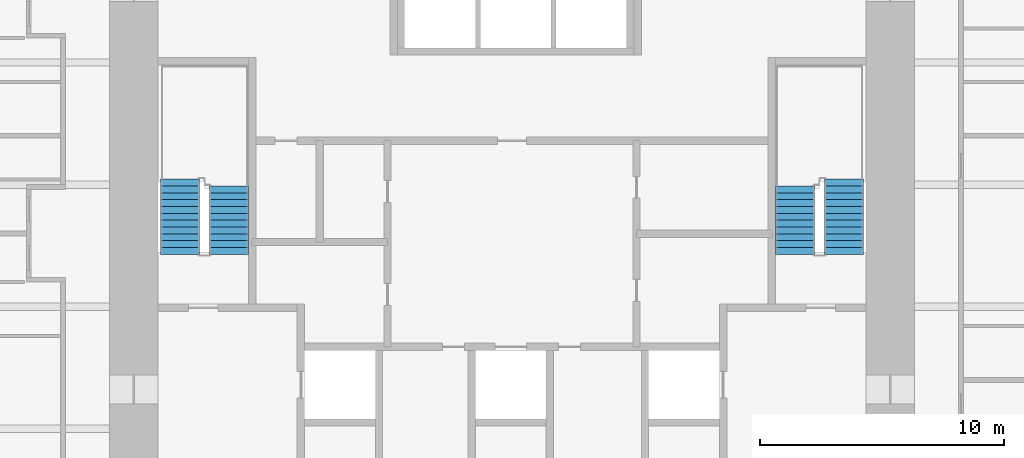
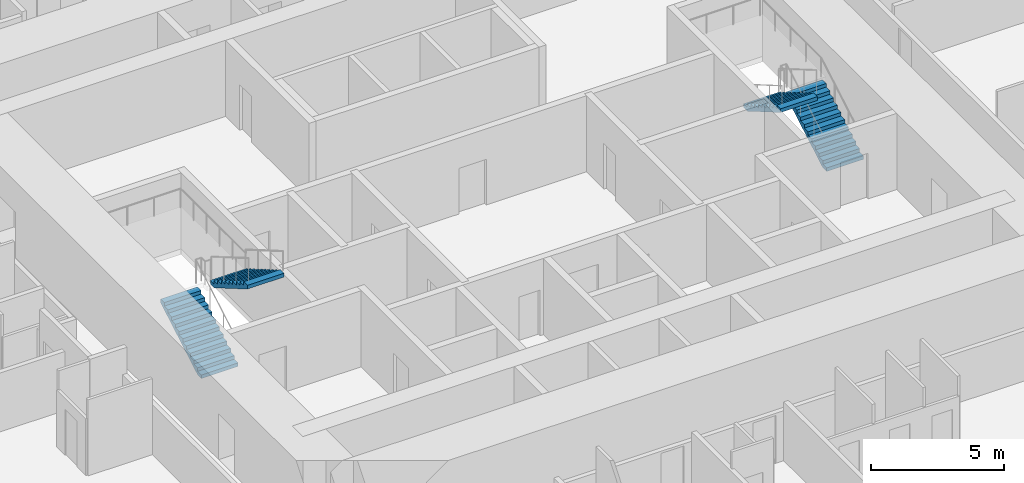
# One storey, part 16 of 17: 4 stair flights, 2 elements without a shape of their own.
"""IFC4 building model written with IfcOpenShell, lengths in metres."""

import ifcopenshell
import ifcopenshell.guid

model = None  # the IFC model being written
_history = None  # IfcOwnerHistory: only IFC2X3 demands one
_inside = {}  # id of a spatial element -> (the spatial element, [elements in it])
_under = {}  # id of a project, library or spatial element -> (it, [spatial elements below it])
_declared = {}  # id of a project -> (the project, [libraries it declares])
_typed = {}  # id of a type object -> (the type object, [elements of that type])
_made_of = {}  # id of a material, layer set ... -> (it, [elements and type objects made of it])


def new_model(schema):
    """Start an empty IFC model of exactly this schema.

    Asked for "IFC4X3", IfcOpenShell would pick the latest addendum, in which some entities
    have other attributes; the version numbers below select the first issue.
    IFC2X3 requires an IfcOwnerHistory on every rooted entity: one is made here for all.
    """
    global model, _history
    if schema == "IFC4X3":
        model = ifcopenshell.file(schema_version=(4, 3, 0, 0))
    else:
        model = ifcopenshell.file(schema=schema)
    _inside.clear()
    _under.clear()
    _declared.clear()
    _typed.clear()
    _made_of.clear()
    _history = None
    if model.schema == "IFC2X3":
        org = make("IfcOrganization", Name="unknown")
        user = make(
            "IfcPersonAndOrganization",
            ThePerson=make("IfcPerson", FamilyName="unknown"),
            TheOrganization=org,
        )
        app = make(
            "IfcApplication",
            ApplicationDeveloper=org,
            Version="unknown",
            ApplicationFullName="unknown",
            ApplicationIdentifier="unknown",
        )
        _history = make(
            "IfcOwnerHistory",
            OwningUser=user,
            OwningApplication=app,
            ChangeAction="ADDED",
            CreationDate=0,
        )
    return model


def make(cls, **values):
    """One entity of the class cls with the attributes given. An attribute that is None is left unset."""
    return model.create_entity(
        cls, **{name: value for name, value in values.items() if value is not None}
    )


def rooted(cls, **values):
    """An entity with a GlobalId (a new one), such as an element, a storey or a relation."""
    return make(cls, GlobalId=ifcopenshell.guid.new(), OwnerHistory=_history, **values)


def si_unit(unit_type, name, prefix=None):
    """IfcSIUnit, for example si_unit("LENGTHUNIT", "METRE", prefix="MILLI")."""
    return make("IfcSIUnit", UnitType=unit_type, Prefix=prefix, Name=name)


def assignment(units):
    """IfcUnitAssignment: the units of a project."""
    return None if units is None else make("IfcUnitAssignment", Units=units)


def point(xyz):
    """IfcCartesianPoint."""
    return None if xyz is None else make("IfcCartesianPoint", Coordinates=xyz)


def direction(xyz):
    """IfcDirection."""
    return None if xyz is None else make("IfcDirection", DirectionRatios=xyz)


def frame(location, z_axis=None, x_axis=None):
    """IfcAxis2Placement3D, a coordinate frame: its origin and axes. An axis left out is left unset."""
    return make(
        "IfcAxis2Placement3D",
        Location=point(location),
        Axis=direction(z_axis),
        RefDirection=direction(x_axis),
    )


def origin():
    """The frame at (0, 0, 0) with its axes left unset."""
    return frame((0.0, 0.0, 0.0))


def place(relative_to, where):
    """IfcLocalPlacement: puts the frame where relative to a parent placement (None: the world)."""
    return make(
        "IfcLocalPlacement", PlacementRelTo=relative_to, RelativePlacement=where
    )


def context(
    kind, dimensions, precision=None, world=None, true_north=None, identifier=None
):
    """IfcGeometricRepresentationContext, for example the 3D "Model" context."""
    return make(
        "IfcGeometricRepresentationContext",
        ContextIdentifier=identifier,
        ContextType=kind,
        CoordinateSpaceDimension=dimensions,
        Precision=precision,
        WorldCoordinateSystem=world,
        TrueNorth=true_north,
    )


def subcontext(parent, identifier, kind, view, scale=None):
    """IfcGeometricRepresentationSubContext, for example "Body" below "Model"."""
    return make(
        "IfcGeometricRepresentationSubContext",
        ContextIdentifier=identifier,
        ContextType=kind,
        ParentContext=parent,
        TargetScale=scale,
        TargetView=view,
    )


def project(units=None, contexts=None):
    """IfcProject with its units and contexts."""
    return rooted(
        "IfcProject",
        Name="project",
        RepresentationContexts=contexts,
        UnitsInContext=assignment(units),
    )


def spatial(cls, under=None, at=None, **own):
    """A site, building, storey or space (cls), placed at a placement, below another one or the project."""
    s = rooted(cls, ObjectPlacement=at, **own)
    if under is not None:
        _under.setdefault(under.id(), (under, []))[1].append(s)
    return s


def polyline(points):
    """IfcPolyline through the points."""
    return make("IfcPolyline", Points=[point(p) for p in points])


def outline(outer, holes=None, kind="AREA"):
    """IfcArbitraryClosedProfileDef: a profile drawn as a closed curve; with holes, ...WithVoids."""
    if holes is None:
        return make("IfcArbitraryClosedProfileDef", ProfileType=kind, OuterCurve=outer)
    return make(
        "IfcArbitraryProfileDefWithVoids",
        ProfileType=kind,
        OuterCurve=outer,
        InnerCurves=holes,
    )


def extrude(swept, where, along, depth):
    """IfcExtrudedAreaSolid: the profile swept, set in the frame where, extruded along a direction by depth."""
    return make(
        "IfcExtrudedAreaSolid",
        SweptArea=swept,
        Position=where,
        ExtrudedDirection=direction(along),
        Depth=depth,
    )


def shape(context_of_items, identifier, shape_type, items):
    """IfcShapeRepresentation: the items that make up one representation, for example the "Body"."""
    return make(
        "IfcShapeRepresentation",
        ContextOfItems=context_of_items,
        RepresentationIdentifier=identifier,
        RepresentationType=shape_type,
        Items=items,
    )


def material(Name=None, Category=None):
    """IfcMaterial."""
    return make("IfcMaterial", Name=Name, Category=Category)


def made_of(thing, what):
    """Note that an element or type object is made of a material, layer set ...; save() writes the relation."""
    if what is not None:
        _made_of.setdefault(what.id(), (what, []))[1].append(thing)
    return thing


def type_object(cls, material=None, **own):
    """A type object (cls), such as IfcWallType, which elements share."""
    return made_of(rooted(cls, **own), material)


def element(
    cls,
    number,
    at=None,
    inside=None,
    cuts=None,
    type_object=None,
    material=None,
    context=None,
    identifier="Body",
    shape_type=None,
    held_by="IfcProductDefinitionShape",
    body=None,
    shapes=None,
    **own,
):
    """One element of the class cls, such as IfcWall. Its Tag is "e" and its number.

    at: its placement. inside: the storey or other place that contains it. cuts: it is an
    opening in that element (IfcRelVoidsElement). A single representation is given by context,
    identifier, shape_type and body (its items); several are given by shapes. held_by: the class
    of the entity that holds the representations. save() writes the other relations.
    """
    e = rooted(cls, Tag="e%d" % number, ObjectPlacement=at, **own)
    if body is not None:
        shapes = [shape(context, identifier, shape_type, body)]
    if shapes is not None:
        e.Representation = make(held_by, Representations=shapes)
    if inside is not None:
        _inside.setdefault(inside.id(), (inside, []))[1].append(e)
    if cuts is not None:
        rooted(
            "IfcRelVoidsElement", RelatingBuildingElement=cuts, RelatedOpeningElement=e
        )
    if type_object is not None:
        _typed.setdefault(type_object.id(), (type_object, []))[1].append(e)
    return made_of(e, material)


def aggregate(whole, parts):
    """IfcRelAggregates: a whole, such as a stair, and the parts it consists of."""
    return rooted("IfcRelAggregates", RelatingObject=whole, RelatedObjects=parts)


def save(model, path):
    """Write the relations noted so far, then the file.

    IfcRelAggregates (storeys below a building ...), IfcRelContainedInSpatialStructure (elements
    in a storey), IfcRelDefinesByType, IfcRelAssociatesMaterial and IfcRelDeclares: one each for
    every whole, place, type object, material and project.
    """
    for whole, parts in _under.values():
        aggregate(whole, parts)
    for where, things in _inside.values():
        rooted(
            "IfcRelContainedInSpatialStructure",
            RelatedElements=things,
            RelatingStructure=where,
        )
    for kind, things in _typed.values():
        rooted("IfcRelDefinesByType", RelatedObjects=things, RelatingType=kind)
    for what, things in _made_of.values():
        rooted("IfcRelAssociatesMaterial", RelatedObjects=things, RelatingMaterial=what)
    for by, libraries in _declared.values():
        rooted("IfcRelDeclares", RelatingContext=by, RelatedDefinitions=libraries)
    model.write(path)


model = new_model("IFC4")

# Units and contexts
model_context = context("Model", 3, precision=1e-05, world=origin(), true_north=direction((0.0, 1.0)))
body_context = subcontext(model_context, "Body", "Model", "MODEL_VIEW")
ifc_project = project(units=[si_unit("LENGTHUNIT", "METRE"), si_unit("AREAUNIT", "SQUARE_METRE"), si_unit("VOLUMEUNIT", "CUBIC_METRE"), si_unit("PLANEANGLEUNIT", "RADIAN"), si_unit("MASSUNIT", "GRAM", prefix="KILO")], contexts=[model_context])

# Site, building, storey
site_placement = place(None, origin())
site = spatial("IfcSite", under=ifc_project, at=site_placement, CompositionType="ELEMENT")
building_placement = place(site_placement, origin())
building = spatial("IfcBuilding", under=site, at=building_placement, Name="Khuree Lantern Residences", CompositionType="ELEMENT")
storey_placement = place(building_placement, frame((0.0, 0.0, 73.5)))
storey = spatial("IfcBuildingStorey", under=building, at=storey_placement, Name="L18", CompositionType="ELEMENT", Elevation=73.5)

# Stair, stair flights
ifc_material = material(Name="Concrete C40/50", Category="concrete")
stair_type = type_object("IfcStairType", Name="STAIR ST1 HALF TURN 3600", PredefinedType="HALF_TURN_STAIR", material=ifc_material)
stair_1_placement = place(storey_placement, origin())
stair_1 = element("IfcStair", 1, at=stair_1_placement, inside=storey, type_object=stair_type, Name="Stair ST1", PredefinedType="HALF_TURN_STAIR")
stair_flight_type = type_object("IfcStairFlightType", Name="STAIR FLIGHT SF1 1600", PredefinedType="STRAIGHT", material=ifc_material)
stair_flight_1_placement = place(storey_placement, frame((-13.60009765625, -2.860107421875, 0.0), z_axis=(0.0, 0.0, 1.0), x_axis=(0.0, 1.0, 0.0)))
stair_flight_1 = element("IfcStairFlight", 2, at=stair_flight_1_placement, type_object=stair_flight_type, Name="ST1 flight 1", NumberOfRisers=12, NumberOfTreads=11, PredefinedType="STRAIGHT", RiserHeight=0.163043478, TreadLength=0.28, context=body_context, shape_type="SweptSolid", body=[
    extrude(outline(polyline([(0.0, 0.0), (0.0, 0.1630859375), (0.280029296875, 0.1630859375), (0.280029296875, 0.326171875), (0.56005859375, 0.326171875), (0.56005859375, 0.489013671875), (0.840087890625, 0.489013671875), (0.840087890625, 0.652099609375), (1.1201171875, 0.652099609375), (1.1201171875, 0.815185546875), (1.39990234375, 0.815185546875), (1.39990234375, 0.978271484375), (1.679931640625, 0.978271484375), (1.679931640625, 1.141357421875), (1.9599609375, 1.141357421875), (1.9599609375, 1.304443359375), (2.239990234375, 1.304443359375), (2.239990234375, 1.46728515625), (2.52001953125, 1.46728515625), (2.52001953125, 1.63037109375), (2.800048828125, 1.63037109375), (2.800048828125, 1.79345703125), (3.080078125, 1.79345703125), (3.080078125, 1.95654296875), (3.080078125, 1.6201171875), (0.2978515625, 0.0), (0.0, 0.0)])), frame((0.0, 0.800048828125, 0.0), z_axis=(0.0, -1.0, 0.0), x_axis=(1.0, 0.0, 0.0)), (0.0, 0.0, 1.0), 1.60009765625),
])
stair_flight_2_placement = place(storey_placement, frame((-11.60009765625, -0.06005859375, 1.95654296875), z_axis=(0.0, 0.0, 1.0), x_axis=(0.0, -1.0, 0.0)))
stair_flight_2 = element("IfcStairFlight", 3, at=stair_flight_2_placement, type_object=stair_flight_type, Name="ST1 flight 2", NumberOfRisers=11, NumberOfTreads=10, PredefinedType="STRAIGHT", RiserHeight=0.163043478, TreadLength=0.28, context=body_context, shape_type="SweptSolid", body=[
    extrude(outline(polyline([(0.0, 0.0), (0.0, 0.1630859375), (0.280029296875, 0.1630859375), (0.280029296875, 0.326171875), (0.56005859375, 0.326171875), (0.56005859375, 0.489013671875), (0.840087890625, 0.489013671875), (0.840087890625, 0.652099609375), (1.1201171875, 0.652099609375), (1.1201171875, 0.815185546875), (1.39990234375, 0.815185546875), (1.39990234375, 0.978271484375), (1.679931640625, 0.978271484375), (1.679931640625, 1.141357421875), (1.9599609375, 1.141357421875), (1.9599609375, 1.304443359375), (2.239990234375, 1.304443359375), (2.239990234375, 1.46728515625), (2.52001953125, 1.46728515625), (2.52001953125, 1.63037109375), (2.800048828125, 1.63037109375), (2.800048828125, 1.79345703125), (2.800048828125, 1.45703125), (0.2978515625, 0.0), (0.0, 0.0)])), frame((0.0, 0.800048828125, 0.0), z_axis=(0.0, -1.0, 0.0), x_axis=(1.0, 0.0, 0.0)), (0.0, 0.0, 1.0), 1.60009765625),
])
aggregate(stair_1, [stair_flight_1, stair_flight_2])

stair_2_placement = place(storey_placement, origin())
stair_2 = element("IfcStair", 4, at=stair_2_placement, inside=storey, type_object=stair_type, Name="Stair ST2", PredefinedType="HALF_TURN_STAIR")
stair_flight_3_placement = place(storey_placement, frame((13.60009765625, -2.860107421875, 0.0), z_axis=(0.0, 0.0, 1.0), x_axis=(0.0, 1.0, 0.0)))
stair_flight_3 = element("IfcStairFlight", 5, at=stair_flight_3_placement, type_object=stair_flight_type, Name="ST2 flight 1", NumberOfRisers=12, NumberOfTreads=11, PredefinedType="STRAIGHT", RiserHeight=0.163043478, TreadLength=0.28, context=body_context, shape_type="SweptSolid", body=[
    extrude(outline(polyline([(0.0, 0.0), (0.0, 0.1630859375), (0.280029296875, 0.1630859375), (0.280029296875, 0.326171875), (0.56005859375, 0.326171875), (0.56005859375, 0.489013671875), (0.840087890625, 0.489013671875), (0.840087890625, 0.652099609375), (1.1201171875, 0.652099609375), (1.1201171875, 0.815185546875), (1.39990234375, 0.815185546875), (1.39990234375, 0.978271484375), (1.679931640625, 0.978271484375), (1.679931640625, 1.141357421875), (1.9599609375, 1.141357421875), (1.9599609375, 1.304443359375), (2.239990234375, 1.304443359375), (2.239990234375, 1.46728515625), (2.52001953125, 1.46728515625), (2.52001953125, 1.63037109375), (2.800048828125, 1.63037109375), (2.800048828125, 1.79345703125), (3.080078125, 1.79345703125), (3.080078125, 1.95654296875), (3.080078125, 1.6201171875), (0.2978515625, 0.0), (0.0, 0.0)])), frame((0.0, 0.800048828125, 0.0), z_axis=(0.0, -1.0, 0.0), x_axis=(1.0, 0.0, 0.0)), (0.0, 0.0, 1.0), 1.60009765625),
])
stair_flight_4_placement = place(storey_placement, frame((11.60009765625, -0.06005859375, 1.95654296875), z_axis=(0.0, 0.0, 1.0), x_axis=(0.0, -1.0, 0.0)))
stair_flight_4 = element("IfcStairFlight", 6, at=stair_flight_4_placement, type_object=stair_flight_type, Name="ST2 flight 2", NumberOfRisers=11, NumberOfTreads=10, PredefinedType="STRAIGHT", RiserHeight=0.163043478, TreadLength=0.28, context=body_context, shape_type="SweptSolid", body=[
    extrude(outline(polyline([(0.0, 0.0), (0.0, 0.1630859375), (0.280029296875, 0.1630859375), (0.280029296875, 0.326171875), (0.56005859375, 0.326171875), (0.56005859375, 0.489013671875), (0.840087890625, 0.489013671875), (0.840087890625, 0.652099609375), (1.1201171875, 0.652099609375), (1.1201171875, 0.815185546875), (1.39990234375, 0.815185546875), (1.39990234375, 0.978271484375), (1.679931640625, 0.978271484375), (1.679931640625, 1.141357421875), (1.9599609375, 1.141357421875), (1.9599609375, 1.304443359375), (2.239990234375, 1.304443359375), (2.239990234375, 1.46728515625), (2.52001953125, 1.46728515625), (2.52001953125, 1.63037109375), (2.800048828125, 1.63037109375), (2.800048828125, 1.79345703125), (2.800048828125, 1.45703125), (0.2978515625, 0.0), (0.0, 0.0)])), frame((0.0, 0.800048828125, 0.0), z_axis=(0.0, -1.0, 0.0), x_axis=(1.0, 0.0, 0.0)), (0.0, 0.0, 1.0), 1.60009765625),
])
aggregate(stair_2, [stair_flight_3, stair_flight_4])

save(model, "model.ifc")
